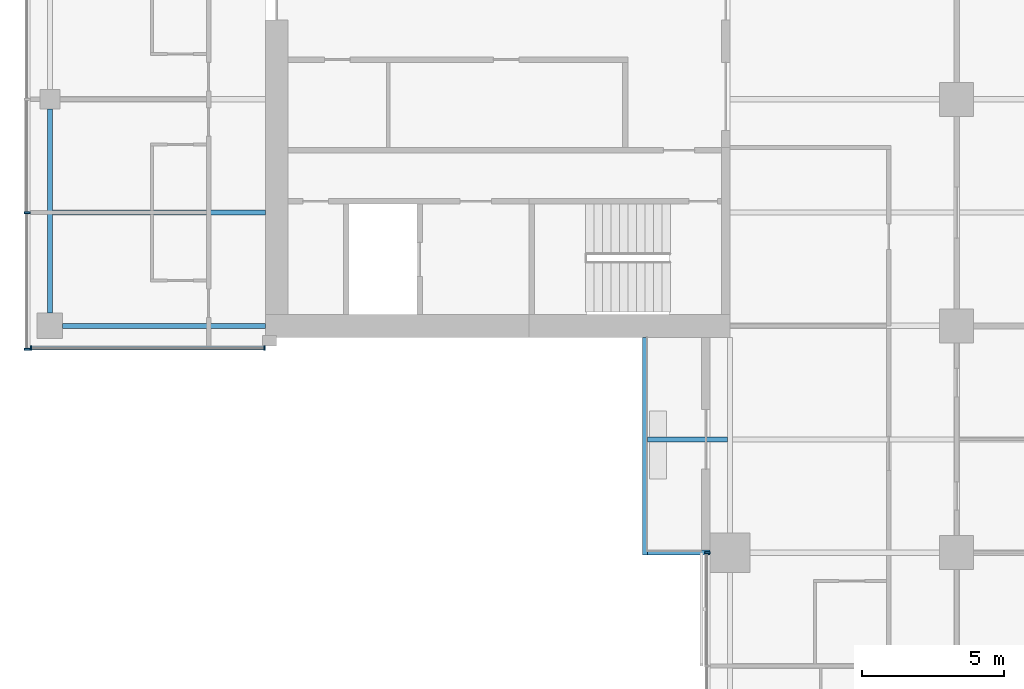
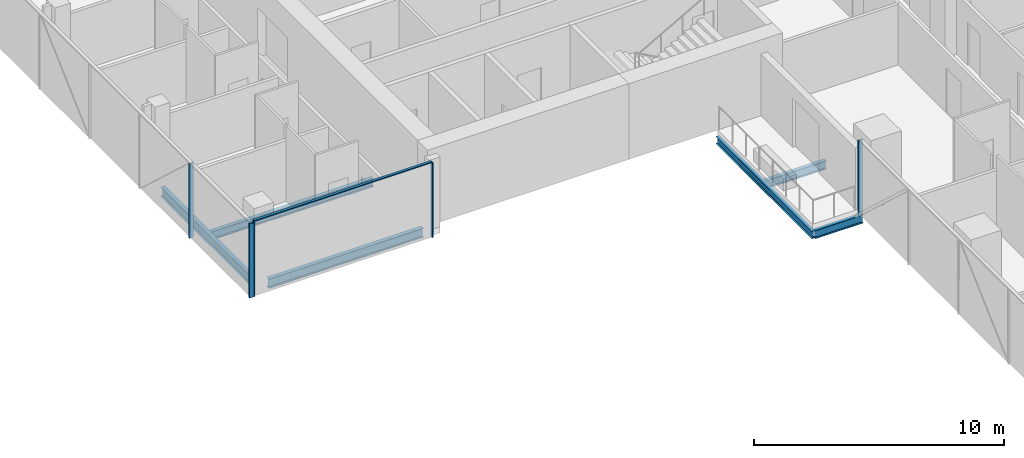
# One storey, part 3 of 27: 6 beams, 6 members, 3 elements without a shape of their own.
"""IFC4 building model written with IfcOpenShell, lengths in metres."""

from ifc_helpers import new_model, si_unit, direction, frame, origin, origin_2d, place, context, subcontext, project, spatial, rectangle, i_section, extrude, material, material_profile, profile_set, type_object, element, aggregate, save


model = new_model("IFC4")

# Units and contexts
model_context = context("Model", 3, precision=1e-05, world=origin(), true_north=direction((0.0, 1.0)))
body_context = subcontext(model_context, "Body", "Model", "MODEL_VIEW")
ifc_project = project(units=[si_unit("LENGTHUNIT", "METRE"), si_unit("AREAUNIT", "SQUARE_METRE"), si_unit("VOLUMEUNIT", "CUBIC_METRE"), si_unit("PLANEANGLEUNIT", "RADIAN"), si_unit("MASSUNIT", "GRAM", prefix="KILO")], contexts=[model_context])

# Site, building, storey
site_placement = place(None, origin())
site = spatial("IfcSite", under=ifc_project, at=site_placement, CompositionType="ELEMENT")
building_placement = place(site_placement, origin())
building = spatial("IfcBuilding", under=site, at=building_placement, Name="Crosswind Convention Tower", CompositionType="ELEMENT")
storey_placement = place(building_placement, frame((0.0, 0.0, 79.39990234375)))
storey = spatial("IfcBuildingStorey", under=building, at=storey_placement, Name="L14", CompositionType="ELEMENT", Elevation=79.39990234375)

# Beams
ifc_material_1 = material(Name="Steel S355", Category="steel")
ifc_material_profile_1 = material_profile(ifc_material_1, i_section(OverallWidth=0.177734375, OverallDepth=0.406494140625, WebThickness=0.0078125, FlangeThickness=0.0126953125, FilletRadius=0.01025390625, at=origin_2d()), Name="UB 406x178x60")
ifc_profile_set_1 = profile_set([ifc_material_profile_1], Name="Steel S355")
beam_type_1 = type_object("IfcBeamType", Name="Balcony cantilever UB 406x178x60", PredefinedType="BEAM", material=ifc_profile_set_1)
beam_1_placement = place(storey_placement, frame((112.90478515625, 84.0, -0.483154296875), z_axis=(-1.0, 0.0, 0.0), x_axis=(0.0, -1.0, 0.0)))
element("IfcBeam", 1, at=beam_1_placement, inside=storey, type_object=beam_type_1, Name="B35 L14 balcony cantilever SW 7", PredefinedType="BEAM", context=body_context, shape_type="SweptSolid", body=[
    extrude(i_section(OverallWidth=0.177734375, OverallDepth=0.406494140625, WebThickness=0.0078125, FlangeThickness=0.0126953125, FilletRadius=0.01025390625, at=origin_2d()), origin(), (0.0, 0.0, 1.0), 2.8193359375),
])
beam_2_placement = place(storey_placement, frame((112.300048828125, 80.0, -0.483154296875), z_axis=(-1.0, 0.0, 0.0), x_axis=(0.0, -1.0, 0.0)))
element("IfcBeam", 2, at=beam_2_placement, inside=storey, type_object=beam_type_1, Name="B35 L14 balcony cantilever SW 8", PredefinedType="BEAM", context=body_context, shape_type="SweptSolid", body=[
    extrude(i_section(OverallWidth=0.177734375, OverallDepth=0.406494140625, WebThickness=0.0078125, FlangeThickness=0.0126953125, FilletRadius=0.01025390625, at=origin_2d()), origin(), (0.0, 0.0, 1.0), 2.214599609375),
])
ifc_material_profile_2 = material_profile(ifc_material_1, i_section(OverallWidth=0.1708984375, OverallDepth=0.35205078125, WebThickness=0.0068359375, FlangeThickness=0.009765625, FilletRadius=0.01025390625, at=origin_2d()), Name="UB 356x171x45")
ifc_profile_set_2 = profile_set([ifc_material_profile_2], Name="Steel S355")
beam_type_2 = type_object("IfcBeamType", Name="Balcony edge beam UB 356x171x45", PredefinedType="BEAM", material=ifc_profile_set_2)
beam_3_placement = place(storey_placement, frame((110.0, 87.60009765625, -0.455810546875), z_axis=(0.0, -1.0, 0.0), x_axis=(1.0, 0.0, 0.0)))
element("IfcBeam", 3, at=beam_3_placement, inside=storey, type_object=beam_type_2, Name="B37 L14 balcony edge beam SW 9", PredefinedType="BEAM", context=body_context, shape_type="SweptSolid", body=[
    extrude(i_section(OverallWidth=0.1708984375, OverallDepth=0.35205078125, WebThickness=0.0068359375, FlangeThickness=0.009765625, FilletRadius=0.01025390625, at=origin_2d()), origin(), (0.0, 0.0, 1.0), 7.68896484375),
])
ifc_material_profile_3 = material_profile(ifc_material_1, i_section(OverallWidth=0.1904296875, OverallDepth=0.457275390625, WebThickness=0.009033203125, FlangeThickness=0.014404296875, FilletRadius=0.01025390625, at=origin_2d()), Name="UB 457x191x75")
ifc_profile_set_3 = profile_set([ifc_material_profile_3], Name="Steel S355")
beam_type_3 = type_object("IfcBeamType", Name="Edge beam UB 457x191x75", PredefinedType="SPANDREL", material=ifc_profile_set_3)
beam_4_placement = place(storey_placement, frame((89.0, 88.449951171875, -0.508544921875), z_axis=(0.0, 1.0, 0.0), x_axis=(-1.0, 0.0, 0.0)))
element("IfcBeam", 4, at=beam_4_placement, inside=storey, type_object=beam_type_3, Name="B17 L14 edge beam 1", PredefinedType="SPANDREL", context=body_context, shape_type="SweptSolid", body=[
    extrude(i_section(OverallWidth=0.1904296875, OverallDepth=0.457275390625, WebThickness=0.009033203125, FlangeThickness=0.014404296875, FilletRadius=0.01025390625, at=origin_2d()), origin(), (0.0, 0.0, 1.0), 7.199951171875),
])
beam_5_placement = place(storey_placement, frame((89.449951171875, 88.0, -0.508544921875), z_axis=(1.0, 0.0, 0.0), x_axis=(0.0, 1.0, 0.0)))
element("IfcBeam", 5, at=beam_5_placement, inside=storey, type_object=beam_type_3, Name="B17 L14 edge beam 4", PredefinedType="SPANDREL", context=body_context, shape_type="SweptSolid", body=[
    extrude(i_section(OverallWidth=0.1904296875, OverallDepth=0.457275390625, WebThickness=0.009033203125, FlangeThickness=0.014404296875, FilletRadius=0.01025390625, at=origin_2d()), origin(), (0.0, 0.0, 1.0), 7.150146484375),
])

# Curtain wall, members
ifc_material_2 = material(Name="Aluminium unitised curtain wall", Category="aluminium")
curtain_wall_type_1 = type_object("IfcCurtainWallType", Name="CORE END SLOT WALL 160", PredefinedType="USERDEFINED", material=ifc_material_2)
curtain_wall_1_placement = place(storey_placement, origin())
curtain_wall_1 = element("IfcCurtainWall", 6, at=curtain_wall_1_placement, inside=storey, type_object=curtain_wall_type_1, Name="CW6 L14 W-S.1-1 slot", ObjectType="UNITISED", PredefinedType="USERDEFINED")
ifc_material_3 = material(Name="Aluminium mullion", Category="aluminium")
ifc_material_profile_4 = material_profile(ifc_material_3, rectangle(XDim=0.159912109375, YDim=0.050048828125, at=origin_2d()), Name="AL 160X50")
ifc_profile_set_4 = profile_set([ifc_material_profile_4], Name="Aluminium mullion")
member_type_1 = type_object("IfcMemberType", Name="MULLION 50X160", PredefinedType="MULLION", material=ifc_profile_set_4)
member_1_placement = place(storey_placement, frame((88.324951171875, 87.219970703125, -0.27978515625), z_axis=(0.0, 0.0, 1.0), x_axis=(0.0, -1.0, 0.0)))
member_1 = element("IfcMember", 7, at=member_1_placement, type_object=member_type_1, Name="CW6 mullion 1", PredefinedType="MULLION", context=body_context, shape_type="SweptSolid", body=[
    extrude(rectangle(XDim=0.159912109375, YDim=0.050048828125, at=origin_2d()), origin(), (0.0, 0.0, 1.0), 3.64990234375),
])
member_2_placement = place(storey_placement, frame((96.574951171875, 87.219970703125, -0.27978515625), z_axis=(0.0, 0.0, 1.0), x_axis=(0.0, -1.0, 0.0)))
member_2 = element("IfcMember", 8, at=member_2_placement, type_object=member_type_1, Name="CW6 mullion 2", PredefinedType="MULLION", context=body_context, shape_type="SweptSolid", body=[
    extrude(rectangle(XDim=0.159912109375, YDim=0.050048828125, at=origin_2d()), origin(), (0.0, 0.0, 1.0), 3.64990234375),
])

curtain_wall_type_2 = type_object("IfcCurtainWallType", Name="HOTEL UNITISED WALL 200", PredefinedType="USERDEFINED", material=ifc_material_2)
curtain_wall_2_placement = place(storey_placement, origin())
curtain_wall_2 = element("IfcCurtainWall", 9, at=curtain_wall_2_placement, inside=storey, type_object=curtain_wall_type_2, Name="CW2 L14 W-TIP 1", ObjectType="UNITISED", PredefinedType="USERDEFINED")
ifc_material_profile_5 = material_profile(ifc_material_3, rectangle(XDim=0.199951171875, YDim=0.06494140625, at=origin_2d()), Name="AL 200X65")
ifc_profile_set_5 = profile_set([ifc_material_profile_5], Name="Aluminium mullion")
member_type_2 = type_object("IfcMemberType", Name="MULLION 65X200", PredefinedType="MULLION", material=ifc_profile_set_5)
member_3_placement = place(storey_placement, frame((88.199951171875, 92.0, -0.27978515625), z_axis=(0.0, 0.0, 1.0), x_axis=(-1.0, 0.0, 0.0)))
member_3 = element("IfcMember", 10, at=member_3_placement, type_object=member_type_2, Name="CW2 mullion 6", PredefinedType="MULLION", context=body_context, shape_type="SweptSolid", body=[
    extrude(rectangle(XDim=0.199951171875, YDim=0.06494140625, at=origin_2d()), origin(), (0.0, 0.0, 1.0), 3.634765625),
])
member_4_placement = place(storey_placement, frame((88.199951171875, 87.172607421875, -0.27978515625), z_axis=(0.0, 0.0, 1.0), x_axis=(-1.0, 0.0, 0.0)))
member_4 = element("IfcMember", 11, at=member_4_placement, type_object=member_type_2, Name="CW2 mullion 7", PredefinedType="MULLION", context=body_context, shape_type="SweptSolid", body=[
    extrude(rectangle(XDim=0.199951171875, YDim=0.06494140625, at=origin_2d()), origin(), (0.0, 0.0, 1.0), 3.634765625),
])
aggregate(curtain_wall_2, [member_3, member_4])

# Curtain wall, member
curtain_wall_3_placement = place(storey_placement, origin())
curtain_wall_3 = element("IfcCurtainWall", 12, at=curtain_wall_3_placement, inside=storey, type_object=curtain_wall_type_2, Name="CW2 L14 S-W 1", ObjectType="UNITISED", PredefinedType="USERDEFINED")
member_5_placement = place(storey_placement, frame((112.199951171875, 80.0, -0.27978515625), z_axis=(0.0, 0.0, 1.0), x_axis=(-1.0, 0.0, 0.0)))
member_5 = element("IfcMember", 13, at=member_5_placement, type_object=member_type_2, Name="CW2 mullion 1", PredefinedType="MULLION", context=body_context, shape_type="SweptSolid", body=[
    extrude(rectangle(XDim=0.199951171875, YDim=0.06494140625, at=origin_2d()), origin(), (0.0, 0.0, 1.0), 3.634765625),
])
aggregate(curtain_wall_3, [member_5])

# Beam
ifc_material_profile_6 = material_profile(ifc_material_1, i_section(OverallWidth=0.177734375, OverallDepth=0.406494140625, WebThickness=0.0078125, FlangeThickness=0.0126953125, FilletRadius=0.01025390625, at=origin_2d()), Name="UB 406x178x60")
ifc_profile_set_6 = profile_set([ifc_material_profile_6], Name="Steel S355")
beam_type_4 = type_object("IfcBeamType", Name="Secondary beam UB 406x178x60", PredefinedType="JOIST", material=ifc_profile_set_6)
beam_6_placement = place(storey_placement, frame((89.09521484375, 92.0, -0.483154296875), z_axis=(1.0, 0.0, 0.0), x_axis=(0.0, 1.0, 0.0)))
element("IfcBeam", 14, at=beam_6_placement, inside=storey, type_object=beam_type_4, Name="B10 L14 secondary beam 1", PredefinedType="JOIST", context=body_context, shape_type="SweptSolid", body=[
    extrude(i_section(OverallWidth=0.177734375, OverallDepth=0.406494140625, WebThickness=0.0078125, FlangeThickness=0.0126953125, FilletRadius=0.01025390625, at=origin_2d()), origin(), (0.0, 0.0, 1.0), 7.5048828125),
])

# Member
ifc_material_4 = material(Name="Aluminium transom", Category="aluminium")
ifc_material_profile_7 = material_profile(ifc_material_4, rectangle(XDim=0.1201171875, YDim=0.050048828125, at=origin_2d()), Name="AL 120X50")
ifc_profile_set_7 = profile_set([ifc_material_profile_7], Name="Aluminium transom")
member_type_3 = type_object("IfcMemberType", Name="TRANSOM 50X120", PredefinedType="USERDEFINED", material=ifc_profile_set_7)
member_6_placement = place(storey_placement, frame((88.35009765625, 87.219970703125, 3.39501953125), z_axis=(1.0, 0.0, 0.0), x_axis=(0.0, 1.0, 0.0)))
member_6 = element("IfcMember", 15, at=member_6_placement, type_object=member_type_3, Name="CW6 transom", ObjectType="TRANSOM", PredefinedType="USERDEFINED", context=body_context, shape_type="SweptSolid", body=[
    extrude(rectangle(XDim=0.1201171875, YDim=0.050048828125, at=origin_2d()), origin(), (0.0, 0.0, 1.0), 8.199951171875),
])

aggregate(curtain_wall_1, [member_1, member_2, member_6])

save(model, "model.ifc")
